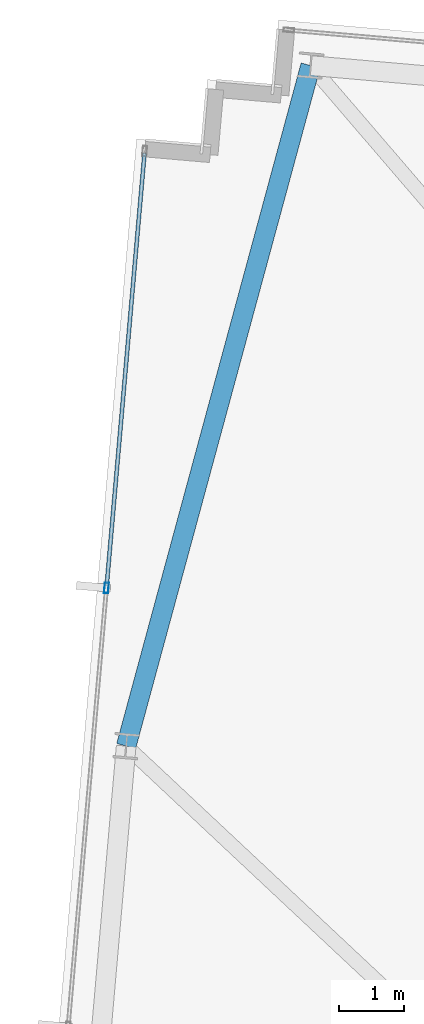
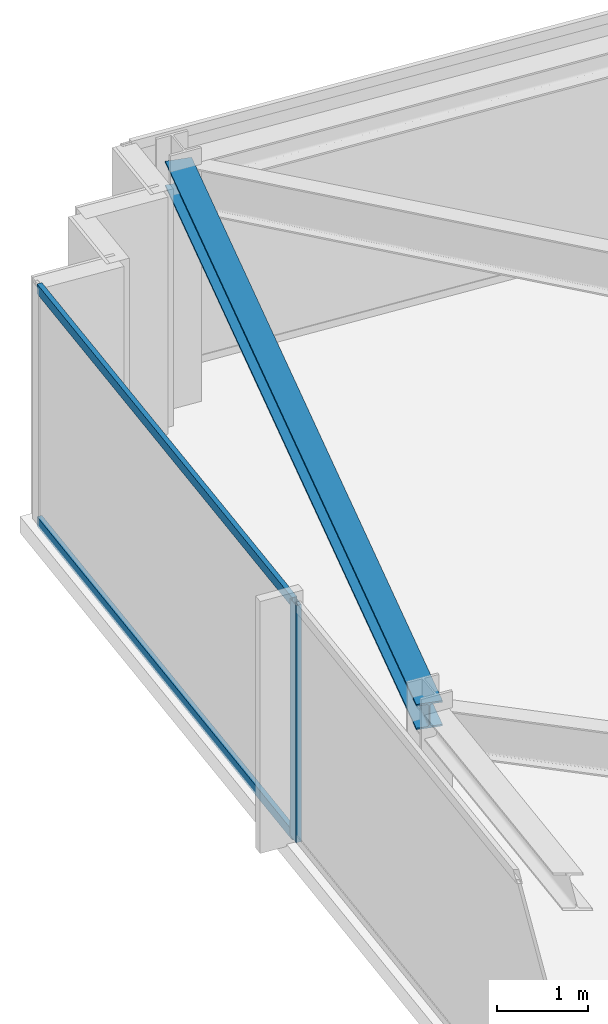
# One storey, part 11 of 33: 3 members, 1 beam, 1 element without a shape of its own.
"""IFC4 building model written with IfcOpenShell, lengths in metres."""

import ifcopenshell
import ifcopenshell.guid

model = None  # the IFC model being written
_history = None  # IfcOwnerHistory: only IFC2X3 demands one
_inside = {}  # id of a spatial element -> (the spatial element, [elements in it])
_under = {}  # id of a project, library or spatial element -> (it, [spatial elements below it])
_declared = {}  # id of a project -> (the project, [libraries it declares])
_typed = {}  # id of a type object -> (the type object, [elements of that type])
_made_of = {}  # id of a material, layer set ... -> (it, [elements and type objects made of it])


def new_model(schema):
    """Start an empty IFC model of exactly this schema.

    Asked for "IFC4X3", IfcOpenShell would pick the latest addendum, in which some entities
    have other attributes; the version numbers below select the first issue.
    IFC2X3 requires an IfcOwnerHistory on every rooted entity: one is made here for all.
    """
    global model, _history
    if schema == "IFC4X3":
        model = ifcopenshell.file(schema_version=(4, 3, 0, 0))
    else:
        model = ifcopenshell.file(schema=schema)
    _inside.clear()
    _under.clear()
    _declared.clear()
    _typed.clear()
    _made_of.clear()
    _history = None
    if model.schema == "IFC2X3":
        org = make("IfcOrganization", Name="unknown")
        user = make(
            "IfcPersonAndOrganization",
            ThePerson=make("IfcPerson", FamilyName="unknown"),
            TheOrganization=org,
        )
        app = make(
            "IfcApplication",
            ApplicationDeveloper=org,
            Version="unknown",
            ApplicationFullName="unknown",
            ApplicationIdentifier="unknown",
        )
        _history = make(
            "IfcOwnerHistory",
            OwningUser=user,
            OwningApplication=app,
            ChangeAction="ADDED",
            CreationDate=0,
        )
    return model


def make(cls, **values):
    """One entity of the class cls with the attributes given. An attribute that is None is left unset."""
    return model.create_entity(
        cls, **{name: value for name, value in values.items() if value is not None}
    )


def rooted(cls, **values):
    """An entity with a GlobalId (a new one), such as an element, a storey or a relation."""
    return make(cls, GlobalId=ifcopenshell.guid.new(), OwnerHistory=_history, **values)


def si_unit(unit_type, name, prefix=None):
    """IfcSIUnit, for example si_unit("LENGTHUNIT", "METRE", prefix="MILLI")."""
    return make("IfcSIUnit", UnitType=unit_type, Prefix=prefix, Name=name)


def assignment(units):
    """IfcUnitAssignment: the units of a project."""
    return None if units is None else make("IfcUnitAssignment", Units=units)


def point(xyz):
    """IfcCartesianPoint."""
    return None if xyz is None else make("IfcCartesianPoint", Coordinates=xyz)


def direction(xyz):
    """IfcDirection."""
    return None if xyz is None else make("IfcDirection", DirectionRatios=xyz)


def frame(location, z_axis=None, x_axis=None):
    """IfcAxis2Placement3D, a coordinate frame: its origin and axes. An axis left out is left unset."""
    return make(
        "IfcAxis2Placement3D",
        Location=point(location),
        Axis=direction(z_axis),
        RefDirection=direction(x_axis),
    )


def frame_2d(location, x_axis=None):
    """IfcAxis2Placement2D, a coordinate frame in the plane: its origin and x axis."""
    return make(
        "IfcAxis2Placement2D", Location=point(location), RefDirection=direction(x_axis)
    )


def origin():
    """The frame at (0, 0, 0) with its axes left unset."""
    return frame((0.0, 0.0, 0.0))


def origin_2d():
    """The frame at (0, 0) in the plane with its x axis left unset."""
    return frame_2d((0.0, 0.0))


def place(relative_to, where):
    """IfcLocalPlacement: puts the frame where relative to a parent placement (None: the world)."""
    return make(
        "IfcLocalPlacement", PlacementRelTo=relative_to, RelativePlacement=where
    )


def context(
    kind, dimensions, precision=None, world=None, true_north=None, identifier=None
):
    """IfcGeometricRepresentationContext, for example the 3D "Model" context."""
    return make(
        "IfcGeometricRepresentationContext",
        ContextIdentifier=identifier,
        ContextType=kind,
        CoordinateSpaceDimension=dimensions,
        Precision=precision,
        WorldCoordinateSystem=world,
        TrueNorth=true_north,
    )


def subcontext(parent, identifier, kind, view, scale=None):
    """IfcGeometricRepresentationSubContext, for example "Body" below "Model"."""
    return make(
        "IfcGeometricRepresentationSubContext",
        ContextIdentifier=identifier,
        ContextType=kind,
        ParentContext=parent,
        TargetScale=scale,
        TargetView=view,
    )


def project(units=None, contexts=None):
    """IfcProject with its units and contexts."""
    return rooted(
        "IfcProject",
        Name="project",
        RepresentationContexts=contexts,
        UnitsInContext=assignment(units),
    )


def spatial(cls, under=None, at=None, **own):
    """A site, building, storey or space (cls), placed at a placement, below another one or the project."""
    s = rooted(cls, ObjectPlacement=at, **own)
    if under is not None:
        _under.setdefault(under.id(), (under, []))[1].append(s)
    return s


def profile(cls, at=None, kind="AREA", **sizes):
    """A parametric profile (cls). Its sizes go by their IFC names, for example OverallWidth=200.0."""
    return make(cls, ProfileType=kind, Position=at, **sizes)


def hollow_rectangle(**sizes):
    """IfcRectangleHollowProfileDef."""
    return profile("IfcRectangleHollowProfileDef", **sizes)


def i_section(**sizes):
    """IfcIShapeProfileDef."""
    return profile("IfcIShapeProfileDef", **sizes)


def extrude(swept, where, along, depth):
    """IfcExtrudedAreaSolid: the profile swept, set in the frame where, extruded along a direction by depth."""
    return make(
        "IfcExtrudedAreaSolid",
        SweptArea=swept,
        Position=where,
        ExtrudedDirection=direction(along),
        Depth=depth,
    )


def shape(context_of_items, identifier, shape_type, items):
    """IfcShapeRepresentation: the items that make up one representation, for example the "Body"."""
    return make(
        "IfcShapeRepresentation",
        ContextOfItems=context_of_items,
        RepresentationIdentifier=identifier,
        RepresentationType=shape_type,
        Items=items,
    )


def material(Name=None, Category=None):
    """IfcMaterial."""
    return make("IfcMaterial", Name=Name, Category=Category)


def material_profile(
    of_material, cross_section, Name=None, Category=None, Priority=None
):
    """IfcMaterialProfile: a cross section and its material."""
    return make(
        "IfcMaterialProfile",
        Name=Name,
        Material=of_material,
        Profile=cross_section,
        Priority=Priority,
        Category=Category,
    )


def profile_set(profiles, Name=None, composite=None):
    """IfcMaterialProfileSet."""
    return make(
        "IfcMaterialProfileSet",
        Name=Name,
        MaterialProfiles=profiles,
        CompositeProfile=composite,
    )


def made_of(thing, what):
    """Note that an element or type object is made of a material, layer set ...; save() writes the relation."""
    if what is not None:
        _made_of.setdefault(what.id(), (what, []))[1].append(thing)
    return thing


def type_object(cls, material=None, **own):
    """A type object (cls), such as IfcWallType, which elements share."""
    return made_of(rooted(cls, **own), material)


def element(
    cls,
    number,
    at=None,
    inside=None,
    cuts=None,
    type_object=None,
    material=None,
    context=None,
    identifier="Body",
    shape_type=None,
    held_by="IfcProductDefinitionShape",
    body=None,
    shapes=None,
    **own,
):
    """One element of the class cls, such as IfcWall. Its Tag is "e" and its number.

    at: its placement. inside: the storey or other place that contains it. cuts: it is an
    opening in that element (IfcRelVoidsElement). A single representation is given by context,
    identifier, shape_type and body (its items); several are given by shapes. held_by: the class
    of the entity that holds the representations. save() writes the other relations.
    """
    e = rooted(cls, Tag="e%d" % number, ObjectPlacement=at, **own)
    if body is not None:
        shapes = [shape(context, identifier, shape_type, body)]
    if shapes is not None:
        e.Representation = make(held_by, Representations=shapes)
    if inside is not None:
        _inside.setdefault(inside.id(), (inside, []))[1].append(e)
    if cuts is not None:
        rooted(
            "IfcRelVoidsElement", RelatingBuildingElement=cuts, RelatedOpeningElement=e
        )
    if type_object is not None:
        _typed.setdefault(type_object.id(), (type_object, []))[1].append(e)
    return made_of(e, material)


def aggregate(whole, parts):
    """IfcRelAggregates: a whole, such as a stair, and the parts it consists of."""
    return rooted("IfcRelAggregates", RelatingObject=whole, RelatedObjects=parts)


def save(model, path):
    """Write the relations noted so far, then the file.

    IfcRelAggregates (storeys below a building ...), IfcRelContainedInSpatialStructure (elements
    in a storey), IfcRelDefinesByType, IfcRelAssociatesMaterial and IfcRelDeclares: one each for
    every whole, place, type object, material and project.
    """
    for whole, parts in _under.values():
        aggregate(whole, parts)
    for where, things in _inside.values():
        rooted(
            "IfcRelContainedInSpatialStructure",
            RelatedElements=things,
            RelatingStructure=where,
        )
    for kind, things in _typed.values():
        rooted("IfcRelDefinesByType", RelatedObjects=things, RelatingType=kind)
    for what, things in _made_of.values():
        rooted("IfcRelAssociatesMaterial", RelatedObjects=things, RelatingMaterial=what)
    for by, libraries in _declared.values():
        rooted("IfcRelDeclares", RelatingContext=by, RelatedDefinitions=libraries)
    model.write(path)


model = new_model("IFC4")

# Units and contexts
model_context = context("Model", 3, precision=1e-05, world=origin(), true_north=direction((0.0, 1.0)))
body_context = subcontext(model_context, "Body", "Model", "MODEL_VIEW")
ifc_project = project(units=[si_unit("LENGTHUNIT", "METRE"), si_unit("AREAUNIT", "SQUARE_METRE"), si_unit("VOLUMEUNIT", "CUBIC_METRE"), si_unit("PLANEANGLEUNIT", "RADIAN"), si_unit("MASSUNIT", "GRAM", prefix="KILO")], contexts=[model_context])

# Site, building, storey
site_placement = place(None, origin())
site = spatial("IfcSite", under=ifc_project, at=site_placement, CompositionType="ELEMENT")
building_placement = place(site_placement, origin())
building = spatial("IfcBuilding", under=site, at=building_placement, Name="Yelkora Congress Tower", CompositionType="ELEMENT")
storey_placement = place(building_placement, frame((0.0, 0.0, 286.300048828125)))
storey = spatial("IfcBuildingStorey", under=building, at=storey_placement, Name="L80", CompositionType="ELEMENT", Elevation=286.300048828125)

# Beam
ifc_material_1 = material(Name="Steel S355J2", Category="steel")
ifc_material_profile_1 = material_profile(ifc_material_1, i_section(OverallWidth=0.300048828125, OverallDepth=0.340087890625, WebThickness=0.011962890625, FlangeThickness=0.021484375, FilletRadius=0.027099609375, at=origin_2d()), Name="HEB 340")
ifc_profile_set_1 = profile_set([ifc_material_profile_1], Name="Steel S355J2")
beam_type = type_object("IfcBeamType", Name="BM-SPAN-HEB340", PredefinedType="SPANDREL", material=ifc_profile_set_1)
beam_placement = place(storey_placement, frame((10.60400390625, 49.884033203125, 3.010009765625), z_axis=(-0.261553643334, -0.965188940912, 0.0), x_axis=(0.965188940912, -0.261553643334, 0.0)))
element("IfcBeam", 1, at=beam_placement, inside=storey, type_object=beam_type, Name="L80 Perimeter Beam 13", PredefinedType="SPANDREL", context=body_context, shape_type="SweptSolid", body=[
    extrude(i_section(OverallWidth=0.300048828125, OverallDepth=0.340087890625, WebThickness=0.011962890625, FlangeThickness=0.021484375, FilletRadius=0.027099609375, at=origin_2d()), origin(), (0.0, 0.0, 1.0), 10.768798828125),
])

# Curtain wall, members
ifc_material_2 = material(Name="Anodised aluminium and insulated glass", Category="aluminium")
curtain_wall_type = type_object("IfcCurtainWallType", Name="CW-SYS-B5", PredefinedType="NOTDEFINED", material=ifc_material_2)
curtain_wall_placement = place(storey_placement, origin())
curtain_wall = element("IfcCurtainWall", 2, at=curtain_wall_placement, inside=storey, type_object=curtain_wall_type, Name="L80 Unitised Curtain Wall 5", PredefinedType="NOTDEFINED")
ifc_material_3 = material(Name="Anodised aluminium 6063-T6", Category="aluminium")
ifc_material_profile_2 = material_profile(ifc_material_3, hollow_rectangle(XDim=0.06494140625, YDim=0.159912109375, WallThickness=0.00390625, at=origin_2d()), Name="ALU 65x160x4")
ifc_profile_set_2 = profile_set([ifc_material_profile_2], Name="Anodised aluminium 6063-T6")
member_type_1 = type_object("IfcMemberType", Name="MEM-ML-B5", PredefinedType="MULLION", material=ifc_profile_set_2)
member_1_placement = place(storey_placement, frame((7.48681640625, 41.9052734375, 0.0), z_axis=(0.0, 0.0, 1.0), x_axis=(-0.996194785929, 0.08715473876, 0.0)))
member_1 = element("IfcMember", 3, at=member_1_placement, type_object=member_type_1, Name="CW-B5 mullion 4", PredefinedType="MULLION", context=body_context, shape_type="SweptSolid", body=[
    extrude(hollow_rectangle(XDim=0.06494140625, YDim=0.159912109375, WallThickness=0.00390625, at=origin_2d()), origin(), (0.0, 0.0, 1.0), 3.179931640625),
])
ifc_material_profile_3 = material_profile(ifc_material_3, hollow_rectangle(XDim=0.06005859375, YDim=0.1298828125, WallThickness=0.00390625, at=origin_2d()), Name="ALU 60x130x4")
ifc_profile_set_3 = profile_set([ifc_material_profile_3], Name="Anodised aluminium 6063-T6")
member_type_2 = type_object("IfcMemberType", Name="MEM-TR-B5", PredefinedType="USERDEFINED", material=ifc_profile_set_3)
member_2_placement = place(storey_placement, frame((7.489501953125, 41.937744140625, 0.030029296875), z_axis=(0.08716649365, 0.996193757451, 0.0), x_axis=(-0.996193757451, 0.08716649365, 0.0)))
member_2 = element("IfcMember", 4, at=member_2_placement, type_object=member_type_2, Name="CW-B5 transom 4.1", ObjectType="TRANSOM", PredefinedType="USERDEFINED", context=body_context, shape_type="SweptSolid", body=[
    extrude(hollow_rectangle(XDim=0.06005859375, YDim=0.1298828125, WallThickness=0.00390625, at=origin_2d()), origin(), (0.0, 0.0, 1.0), 6.63232421875),
])
member_3_placement = place(storey_placement, frame((7.489501953125, 41.937744140625, 3.14990234375), z_axis=(0.08716649365, 0.996193757451, 0.0), x_axis=(-0.996193757451, 0.08716649365, 0.0)))
member_3 = element("IfcMember", 5, at=member_3_placement, type_object=member_type_2, Name="CW-B5 transom 4.2", ObjectType="TRANSOM", PredefinedType="USERDEFINED", context=body_context, shape_type="SweptSolid", body=[
    extrude(hollow_rectangle(XDim=0.06005859375, YDim=0.1298828125, WallThickness=0.00390625, at=origin_2d()), origin(), (0.0, 0.0, 1.0), 6.63232421875),
])
aggregate(curtain_wall, [member_1, member_2, member_3])

save(model, "model.ifc")
